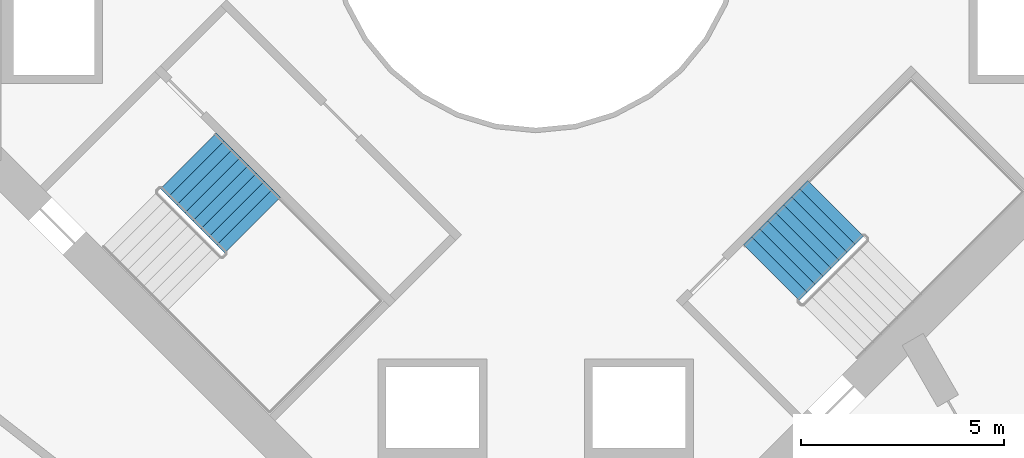
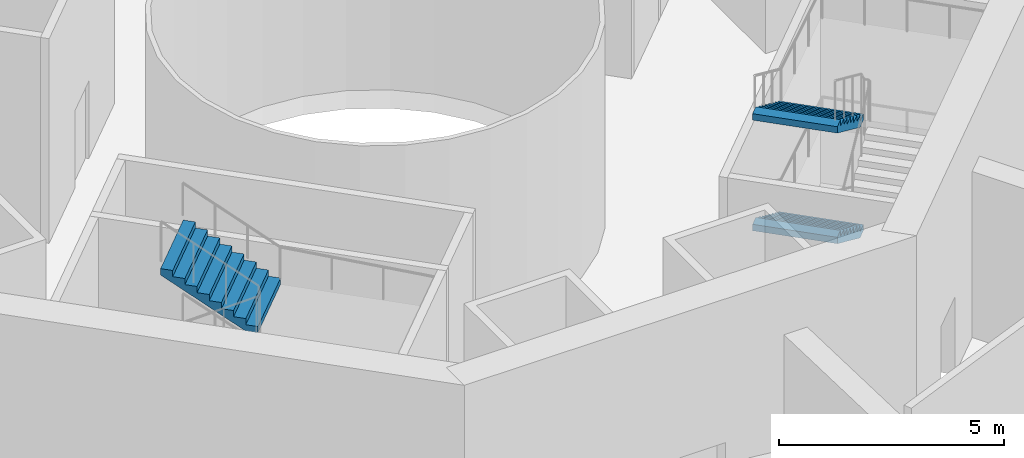
# One storey, part 13 of 17: 3 stair flights, 2 elements without a shape of their own.
"""IFC4 building model written with IfcOpenShell, lengths in metres."""

from ifc_helpers import new_model, si_unit, direction, frame, origin, place, context, subcontext, project, spatial, triangles, material, type_object, element, aggregate, save


model = new_model("IFC4")

# Units and contexts
model_context = context("Model", 3, precision=1e-05, world=origin(), true_north=direction((0.0, 1.0)))
body_context = subcontext(model_context, "Body", "Model", "MODEL_VIEW")
ifc_project = project(units=[si_unit("LENGTHUNIT", "METRE"), si_unit("AREAUNIT", "SQUARE_METRE"), si_unit("VOLUMEUNIT", "CUBIC_METRE"), si_unit("PLANEANGLEUNIT", "RADIAN"), si_unit("MASSUNIT", "GRAM", prefix="KILO")], contexts=[model_context])

# Site, building, storey
site_placement = place(None, origin())
site = spatial("IfcSite", under=ifc_project, at=site_placement, CompositionType="ELEMENT")
building_placement = place(site_placement, origin())
building = spatial("IfcBuilding", under=site, at=building_placement, Name="Verdalira Terraces Hotel", CompositionType="ELEMENT")
storey_placement = place(building_placement, frame((0.0, 0.0, 122.0)))
storey = spatial("IfcBuildingStorey", under=building, at=storey_placement, Name="L29", CompositionType="ELEMENT", Elevation=122.0)

# Stair, stair flight
ifc_material_1 = material(Name="Concrete C40", Category="concrete")
stair_type = type_object("IfcStairType", Name="Core stair 36 risers 1950 mm wide", PredefinedType="HALF_TURN_STAIR", material=ifc_material_1)
stair_1_placement = place(storey_placement, origin())
stair_1 = element("IfcStair", 1, at=stair_1_placement, inside=storey, type_object=stair_type, Name="L29 Exit stair ST2", PredefinedType="HALF_TURN_STAIR")
ifc_material_2 = material(Name="Concrete C40", Category="concrete")
stair_flight_type = type_object("IfcStairFlightType", Name="Core stair flight 36 risers 1950 mm wide", PredefinedType="STRAIGHT", material=ifc_material_2)
stair_flight_1_placement = place(storey_placement, frame((-6.989746, -7.399902, 4.5), z_axis=(0.0, 0.0, 1.0), x_axis=(-0.707106781, 0.707106781, 0.0)))
stair_flight_1 = element("IfcStairFlight", 2, at=stair_flight_1_placement, type_object=stair_flight_type, Name="ST2 flight 4", NumberOfRisers=9, NumberOfTreads=8, PredefinedType="STRAIGHT", RiserHeight=0.166666667, TreadLength=0.28, context=body_context, shape_type="Tessellation", body=[
    triangles([(0.0, 0.974976, 0.0), (0.292969, 0.974976, 0.0), (2.23999, 0.974976, 1.158936), (0.0, -0.974976, 0.0), (0.292969, -0.974976, 0.0), (2.23999, -0.974976, 1.158936), (2.23999, 0.974976, 1.333252), (1.959961, 0.974976, 1.333252), (2.23999, -0.974976, 1.333252), (1.959961, -0.974976, 1.333252), (1.959961, 0.974976, 1.166748), (1.959961, -0.974976, 1.166748), (1.679932, 0.974976, 1.166748), (1.679932, -0.974976, 1.166748), (1.679932, 0.974976, 1.0), (1.679932, -0.974976, 1.0), (1.399902, 0.974976, 1.0), (1.399902, 0.974976, 0.833252), (1.399902, -0.974976, 1.0), (1.399902, -0.974976, 0.833252), (1.120117, 0.974976, 0.833252), (1.120117, 0.974976, 0.666748), (1.120117, -0.974976, 0.833252), (1.120117, -0.974976, 0.666748), (0.840088, 0.974976, 0.666748), (0.840088, 0.974976, 0.5), (0.840088, -0.974976, 0.666748), (0.840088, -0.974976, 0.5), (0.560059, 0.974976, 0.5), (0.560059, 0.974976, 0.333252), (0.560059, -0.974976, 0.5), (0.560059, -0.974976, 0.333252), (0.280029, 0.974976, 0.333252), (0.280029, 0.974976, 0.166748), (0.280029, -0.974976, 0.333252), (0.280029, -0.974976, 0.166748), (0.0, 0.974976, 0.166748), (0.0, -0.974976, 0.166748), (0.0, -0.91404, 0.0), (0.0, -0.91404, 0.166748), (0.0, -0.853104, 0.0), (0.0, -0.853104, 0.166748), (0.0, -0.792168, 0.0), (0.0, -0.792168, 0.166748), (0.0, -0.731232, 0.0), (0.0, -0.731232, 0.166748), (0.0, -0.670296, 0.0), (0.0, -0.670296, 0.166748), (0.0, -0.60936, 0.0), (0.0, -0.60936, 0.166748), (0.0, -0.548424, 0.0), (0.0, -0.548424, 0.166748), (0.0, -0.487488, 0.0), (0.0, -0.487488, 0.166748), (0.0, -0.426552, 0.0), (0.0, -0.426552, 0.166748), (0.0, -0.365616, 0.0), (0.0, -0.365616, 0.166748), (0.0, -0.30468, 0.0), (0.0, -0.30468, 0.166748), (0.0, -0.243744, 0.0), (0.0, -0.243744, 0.166748), (0.0, -0.182808, 0.0), (0.0, -0.182808, 0.166748), (0.0, -0.121872, 0.0), (0.0, -0.121872, 0.166748), (0.0, -0.060936, 0.0), (0.0, -0.060936, 0.166748), (0.0, 0.0, 0.0), (0.0, 0.0, 0.166748), (0.0, 0.060936, 0.0), (0.0, 0.060936, 0.166748), (0.0, 0.121872, 0.0), (0.0, 0.121872, 0.166748), (0.0, 0.182808, 0.0), (0.0, 0.182808, 0.166748), (0.0, 0.243744, 0.0), (0.0, 0.243744, 0.166748), (0.0, 0.30468, 0.0), (0.0, 0.30468, 0.166748), (0.0, 0.365616, 0.0), (0.0, 0.365616, 0.166748), (0.0, 0.426552, 0.0), (0.0, 0.426552, 0.166748), (0.0, 0.487488, 0.0), (0.0, 0.487488, 0.166748), (0.0, 0.548424, 0.0), (0.0, 0.548424, 0.166748), (0.0, 0.60936, 0.0), (0.0, 0.60936, 0.166748), (0.0, 0.670296, 0.0), (0.0, 0.670296, 0.166748), (0.0, 0.731232, 0.0), (0.0, 0.731232, 0.166748), (0.0, 0.792168, 0.0), (0.0, 0.792168, 0.166748), (0.0, 0.853104, 0.0), (0.0, 0.853104, 0.166748), (0.0, 0.91404, 0.0), (0.0, 0.91404, 0.166748), (2.23999, -0.91404, 1.333252), (2.23999, -0.853104, 1.333252), (2.23999, -0.792168, 1.333252), (2.23999, -0.731232, 1.333252), (2.23999, -0.670296, 1.333252), (2.23999, -0.60936, 1.333252), (2.23999, -0.548424, 1.333252), (2.23999, -0.487488, 1.333252), (2.23999, -0.426552, 1.333252), (2.23999, -0.365616, 1.333252), (2.23999, -0.30468, 1.333252), (2.23999, -0.243744, 1.333252), (2.23999, -0.182808, 1.333252), (2.23999, -0.121872, 1.333252), (2.23999, -0.060936, 1.333252), (2.23999, 0.0, 1.333252), (2.23999, 0.060936, 1.333252), (2.23999, 0.121872, 1.333252), (2.23999, 0.182808, 1.333252), (2.23999, 0.243744, 1.333252), (2.23999, 0.30468, 1.333252), (2.23999, 0.365616, 1.333252), (2.23999, 0.426552, 1.333252), (2.23999, 0.487488, 1.333252), (2.23999, 0.548424, 1.333252), (2.23999, 0.60936, 1.333252), (2.23999, 0.670296, 1.333252), (2.23999, 0.731232, 1.333252), (2.23999, 0.792168, 1.333252), (2.23999, 0.853104, 1.333252), (2.23999, 0.91404, 1.333252), (2.23999, -0.91404, 1.158936), (2.23999, -0.853104, 1.158936), (2.23999, -0.792168, 1.158936), (2.23999, -0.731232, 1.158936), (2.23999, -0.670296, 1.158936), (2.23999, -0.60936, 1.158936), (2.23999, -0.548424, 1.158936), (2.23999, -0.487488, 1.158936), (2.23999, -0.426552, 1.158936), (2.23999, -0.365616, 1.158936), (2.23999, -0.30468, 1.158936), (2.23999, -0.243744, 1.158936), (2.23999, -0.182808, 1.158936), (2.23999, -0.121872, 1.158936), (2.23999, -0.060936, 1.158936), (2.23999, 0.0, 1.158936), (2.23999, 0.060936, 1.158936), (2.23999, 0.121872, 1.158936), (2.23999, 0.182808, 1.158936), (2.23999, 0.243744, 1.158936), (2.23999, 0.30468, 1.158936), (2.23999, 0.365616, 1.158936), (2.23999, 0.426552, 1.158936), (2.23999, 0.487488, 1.158936), (2.23999, 0.548424, 1.158936), (2.23999, 0.60936, 1.158936), (2.23999, 0.670296, 1.158936), (2.23999, 0.731232, 1.158936), (2.23999, 0.792168, 1.158936), (2.23999, 0.853104, 1.158936), (2.23999, 0.91404, 1.158936)], [[1, 3, 2], [4, 5, 6], [3, 8, 7], [6, 9, 10], [3, 11, 8], [6, 10, 12], [3, 13, 11], [6, 12, 14], [3, 15, 13], [6, 14, 16], [15, 18, 17], [16, 19, 20], [3, 18, 15], [6, 16, 20], [18, 22, 21], [20, 23, 24], [3, 22, 18], [6, 20, 24], [22, 26, 25], [24, 27, 28], [3, 26, 22], [6, 24, 28], [26, 30, 29], [28, 31, 32], [3, 30, 26], [6, 28, 32], [1, 30, 3], [4, 6, 32], [30, 34, 33], [32, 35, 36], [1, 34, 30], [4, 32, 36], [34, 1, 37], [36, 38, 4], [4, 40, 39], [4, 38, 40], [39, 42, 41], [39, 40, 42], [41, 44, 43], [41, 42, 44], [43, 46, 45], [43, 44, 46], [45, 48, 47], [45, 46, 48], [47, 50, 49], [47, 48, 50], [49, 52, 51], [49, 50, 52], [51, 54, 53], [51, 52, 54], [53, 56, 55], [53, 54, 56], [55, 58, 57], [55, 56, 58], [57, 60, 59], [57, 58, 60], [59, 62, 61], [59, 60, 62], [61, 64, 63], [61, 62, 64], [63, 66, 65], [63, 64, 66], [65, 68, 67], [65, 66, 68], [67, 70, 69], [67, 68, 70], [69, 72, 71], [69, 70, 72], [71, 74, 73], [71, 72, 74], [73, 76, 75], [73, 74, 76], [75, 78, 77], [75, 76, 78], [77, 80, 79], [77, 78, 80], [79, 82, 81], [79, 80, 82], [81, 84, 83], [81, 82, 84], [83, 86, 85], [83, 84, 86], [85, 88, 87], [85, 86, 88], [87, 90, 89], [87, 88, 90], [89, 92, 91], [89, 90, 92], [91, 94, 93], [91, 92, 94], [93, 96, 95], [93, 94, 96], [95, 98, 97], [95, 96, 98], [97, 100, 99], [97, 98, 100], [99, 37, 1], [99, 100, 37], [38, 36, 40], [40, 36, 42], [42, 36, 44], [44, 36, 46], [46, 36, 48], [48, 36, 50], [50, 36, 52], [52, 36, 54], [54, 36, 56], [56, 36, 58], [58, 36, 60], [60, 36, 62], [62, 36, 64], [64, 36, 66], [66, 36, 68], [68, 36, 70], [70, 36, 72], [72, 36, 74], [74, 36, 76], [76, 36, 78], [78, 36, 80], [80, 36, 82], [82, 36, 84], [84, 36, 86], [86, 36, 88], [88, 36, 90], [90, 36, 92], [92, 36, 94], [94, 36, 96], [96, 36, 98], [98, 36, 100], [100, 36, 37], [37, 36, 34], [36, 33, 34], [36, 35, 33], [35, 30, 33], [35, 32, 30], [32, 29, 30], [32, 31, 29], [31, 26, 29], [31, 28, 26], [28, 25, 26], [28, 27, 25], [27, 22, 25], [27, 24, 22], [24, 21, 22], [24, 23, 21], [23, 18, 21], [23, 20, 18], [20, 17, 18], [20, 19, 17], [19, 15, 17], [19, 16, 15], [16, 13, 15], [16, 14, 13], [14, 11, 13], [14, 12, 11], [12, 8, 11], [12, 10, 8], [9, 101, 10], [101, 102, 10], [102, 103, 10], [103, 104, 10], [104, 105, 10], [105, 106, 10], [106, 107, 10], [107, 108, 10], [108, 109, 10], [109, 110, 10], [110, 111, 10], [111, 112, 10], [112, 113, 10], [113, 114, 10], [114, 115, 10], [115, 116, 10], [116, 117, 10], [117, 118, 10], [118, 119, 10], [119, 120, 10], [120, 121, 10], [121, 122, 10], [122, 123, 10], [123, 124, 10], [124, 125, 10], [125, 126, 10], [126, 127, 10], [127, 128, 10], [128, 129, 10], [129, 130, 10], [130, 131, 10], [131, 7, 10], [7, 8, 10], [9, 132, 101], [9, 6, 132], [101, 133, 102], [101, 132, 133], [102, 134, 103], [102, 133, 134], [103, 135, 104], [103, 134, 135], [104, 136, 105], [104, 135, 136], [105, 137, 106], [105, 136, 137], [106, 138, 107], [106, 137, 138], [107, 139, 108], [107, 138, 139], [108, 140, 109], [108, 139, 140], [109, 141, 110], [109, 140, 141], [110, 142, 111], [110, 141, 142], [111, 143, 112], [111, 142, 143], [112, 144, 113], [112, 143, 144], [113, 145, 114], [113, 144, 145], [114, 146, 115], [114, 145, 146], [115, 147, 116], [115, 146, 147], [116, 148, 117], [116, 147, 148], [117, 149, 118], [117, 148, 149], [118, 150, 119], [118, 149, 150], [119, 151, 120], [119, 150, 151], [120, 152, 121], [120, 151, 152], [121, 153, 122], [121, 152, 153], [122, 154, 123], [122, 153, 154], [123, 155, 124], [123, 154, 155], [124, 156, 125], [124, 155, 156], [125, 157, 126], [125, 156, 157], [126, 158, 127], [126, 157, 158], [127, 159, 128], [127, 158, 159], [128, 160, 129], [128, 159, 160], [129, 161, 130], [129, 160, 161], [130, 162, 131], [130, 161, 162], [131, 3, 7], [131, 162, 3], [6, 5, 132], [132, 5, 133], [133, 5, 134], [134, 5, 135], [135, 5, 136], [136, 5, 137], [137, 5, 138], [138, 5, 139], [139, 5, 140], [140, 5, 141], [141, 5, 142], [142, 5, 143], [143, 5, 144], [144, 5, 145], [145, 5, 146], [146, 5, 147], [147, 5, 148], [148, 5, 149], [149, 5, 150], [150, 5, 151], [151, 5, 152], [152, 5, 153], [153, 5, 154], [154, 5, 155], [155, 5, 156], [156, 5, 157], [157, 5, 158], [158, 5, 159], [159, 5, 160], [160, 5, 161], [161, 5, 162], [162, 5, 3], [3, 5, 2], [4, 39, 5], [39, 41, 5], [41, 43, 5], [43, 45, 5], [45, 47, 5], [47, 49, 5], [49, 51, 5], [51, 53, 5], [53, 55, 5], [55, 57, 5], [57, 59, 5], [59, 61, 5], [61, 63, 5], [63, 65, 5], [65, 67, 5], [67, 69, 5], [69, 71, 5], [71, 73, 5], [73, 75, 5], [75, 77, 5], [77, 79, 5], [79, 81, 5], [81, 83, 5], [83, 85, 5], [85, 87, 5], [87, 89, 5], [89, 91, 5], [91, 93, 5], [93, 95, 5], [95, 97, 5], [97, 99, 5], [99, 1, 5], [1, 2, 5]], closed=True),
])
aggregate(stair_1, [stair_flight_1])

# Stair, stair flights
stair_2_placement = place(storey_placement, origin())
stair_2 = element("IfcStair", 3, at=stair_2_placement, inside=storey, type_object=stair_type, Name="L29 Exit stair ST3", PredefinedType="HALF_TURN_STAIR")
stair_flight_2_placement = place(storey_placement, frame((7.399902, -6.989746, 1.5), z_axis=(0.0, 0.0, 1.0), x_axis=(-0.707106781, -0.707106781, 0.0)))
stair_flight_2 = element("IfcStairFlight", 4, at=stair_flight_2_placement, type_object=stair_flight_type, Name="ST3 flight 2", NumberOfRisers=9, NumberOfTreads=8, PredefinedType="STRAIGHT", RiserHeight=0.166666667, TreadLength=0.28, context=body_context, shape_type="Tessellation", body=[
    triangles([(0.0, 0.974976, 0.0), (0.292969, 0.974976, 0.0), (2.23999, 0.974976, 1.158936), (0.0, -0.974976, 0.0), (0.292969, -0.974976, 0.0), (2.23999, -0.974976, 1.158936), (2.23999, 0.974976, 1.333252), (1.959961, 0.974976, 1.333252), (2.23999, -0.974976, 1.333252), (1.959961, -0.974976, 1.333252), (1.959961, 0.974976, 1.166748), (1.959961, -0.974976, 1.166748), (1.679932, 0.974976, 1.166748), (1.679932, -0.974976, 1.166748), (1.679932, 0.974976, 1.0), (1.679932, -0.974976, 1.0), (1.399902, 0.974976, 1.0), (1.399902, 0.974976, 0.833252), (1.399902, -0.974976, 1.0), (1.399902, -0.974976, 0.833252), (1.120117, 0.974976, 0.833252), (1.120117, 0.974976, 0.666748), (1.120117, -0.974976, 0.833252), (1.120117, -0.974976, 0.666748), (0.840088, 0.974976, 0.666748), (0.840088, 0.974976, 0.5), (0.840088, -0.974976, 0.666748), (0.840088, -0.974976, 0.5), (0.560059, 0.974976, 0.5), (0.560059, 0.974976, 0.333252), (0.560059, -0.974976, 0.5), (0.560059, -0.974976, 0.333252), (0.280029, 0.974976, 0.333252), (0.280029, 0.974976, 0.166748), (0.280029, -0.974976, 0.333252), (0.280029, -0.974976, 0.166748), (0.0, 0.974976, 0.166748), (0.0, -0.974976, 0.166748), (0.0, -0.91404, 0.0), (0.0, -0.91404, 0.166748), (0.0, -0.853104, 0.0), (0.0, -0.853104, 0.166748), (0.0, -0.792168, 0.0), (0.0, -0.792168, 0.166748), (0.0, -0.731232, 0.0), (0.0, -0.731232, 0.166748), (0.0, -0.670296, 0.0), (0.0, -0.670296, 0.166748), (0.0, -0.60936, 0.0), (0.0, -0.60936, 0.166748), (0.0, -0.548424, 0.0), (0.0, -0.548424, 0.166748), (0.0, -0.487488, 0.0), (0.0, -0.487488, 0.166748), (0.0, -0.426552, 0.0), (0.0, -0.426552, 0.166748), (0.0, -0.365616, 0.0), (0.0, -0.365616, 0.166748), (0.0, -0.30468, 0.0), (0.0, -0.30468, 0.166748), (0.0, -0.243744, 0.0), (0.0, -0.243744, 0.166748), (0.0, -0.182808, 0.0), (0.0, -0.182808, 0.166748), (0.0, -0.121872, 0.0), (0.0, -0.121872, 0.166748), (0.0, -0.060936, 0.0), (0.0, -0.060936, 0.166748), (0.0, 0.0, 0.0), (0.0, 0.0, 0.166748), (0.0, 0.060936, 0.0), (0.0, 0.060936, 0.166748), (0.0, 0.121872, 0.0), (0.0, 0.121872, 0.166748), (0.0, 0.182808, 0.0), (0.0, 0.182808, 0.166748), (0.0, 0.243744, 0.0), (0.0, 0.243744, 0.166748), (0.0, 0.30468, 0.0), (0.0, 0.30468, 0.166748), (0.0, 0.365616, 0.0), (0.0, 0.365616, 0.166748), (0.0, 0.426552, 0.0), (0.0, 0.426552, 0.166748), (0.0, 0.487488, 0.0), (0.0, 0.487488, 0.166748), (0.0, 0.548424, 0.0), (0.0, 0.548424, 0.166748), (0.0, 0.60936, 0.0), (0.0, 0.60936, 0.166748), (0.0, 0.670296, 0.0), (0.0, 0.670296, 0.166748), (0.0, 0.731232, 0.0), (0.0, 0.731232, 0.166748), (0.0, 0.792168, 0.0), (0.0, 0.792168, 0.166748), (0.0, 0.853104, 0.0), (0.0, 0.853104, 0.166748), (0.0, 0.91404, 0.0), (0.0, 0.91404, 0.166748), (2.23999, -0.91404, 1.333252), (2.23999, -0.853104, 1.333252), (2.23999, -0.792168, 1.333252), (2.23999, -0.731232, 1.333252), (2.23999, -0.670296, 1.333252), (2.23999, -0.60936, 1.333252), (2.23999, -0.548424, 1.333252), (2.23999, -0.487488, 1.333252), (2.23999, -0.426552, 1.333252), (2.23999, -0.365616, 1.333252), (2.23999, -0.30468, 1.333252), (2.23999, -0.243744, 1.333252), (2.23999, -0.182808, 1.333252), (2.23999, -0.121872, 1.333252), (2.23999, -0.060936, 1.333252), (2.23999, 0.0, 1.333252), (2.23999, 0.060936, 1.333252), (2.23999, 0.121872, 1.333252), (2.23999, 0.182808, 1.333252), (2.23999, 0.243744, 1.333252), (2.23999, 0.30468, 1.333252), (2.23999, 0.365616, 1.333252), (2.23999, 0.426552, 1.333252), (2.23999, 0.487488, 1.333252), (2.23999, 0.548424, 1.333252), (2.23999, 0.60936, 1.333252), (2.23999, 0.670296, 1.333252), (2.23999, 0.731232, 1.333252), (2.23999, 0.792168, 1.333252), (2.23999, 0.853104, 1.333252), (2.23999, 0.91404, 1.333252), (2.23999, -0.91404, 1.158936), (2.23999, -0.853104, 1.158936), (2.23999, -0.792168, 1.158936), (2.23999, -0.731232, 1.158936), (2.23999, -0.670296, 1.158936), (2.23999, -0.60936, 1.158936), (2.23999, -0.548424, 1.158936), (2.23999, -0.487488, 1.158936), (2.23999, -0.426552, 1.158936), (2.23999, -0.365616, 1.158936), (2.23999, -0.30468, 1.158936), (2.23999, -0.243744, 1.158936), (2.23999, -0.182808, 1.158936), (2.23999, -0.121872, 1.158936), (2.23999, -0.060936, 1.158936), (2.23999, 0.0, 1.158936), (2.23999, 0.060936, 1.158936), (2.23999, 0.121872, 1.158936), (2.23999, 0.182808, 1.158936), (2.23999, 0.243744, 1.158936), (2.23999, 0.30468, 1.158936), (2.23999, 0.365616, 1.158936), (2.23999, 0.426552, 1.158936), (2.23999, 0.487488, 1.158936), (2.23999, 0.548424, 1.158936), (2.23999, 0.60936, 1.158936), (2.23999, 0.670296, 1.158936), (2.23999, 0.731232, 1.158936), (2.23999, 0.792168, 1.158936), (2.23999, 0.853104, 1.158936), (2.23999, 0.91404, 1.158936)], [[1, 3, 2], [4, 5, 6], [3, 8, 7], [6, 9, 10], [3, 11, 8], [6, 10, 12], [3, 13, 11], [6, 12, 14], [3, 15, 13], [6, 14, 16], [15, 18, 17], [16, 19, 20], [3, 18, 15], [6, 16, 20], [18, 22, 21], [20, 23, 24], [3, 22, 18], [6, 20, 24], [22, 26, 25], [24, 27, 28], [3, 26, 22], [6, 24, 28], [26, 30, 29], [28, 31, 32], [3, 30, 26], [6, 28, 32], [1, 30, 3], [4, 6, 32], [30, 34, 33], [32, 35, 36], [1, 34, 30], [4, 32, 36], [34, 1, 37], [36, 38, 4], [4, 40, 39], [4, 38, 40], [39, 42, 41], [39, 40, 42], [41, 44, 43], [41, 42, 44], [43, 46, 45], [43, 44, 46], [45, 48, 47], [45, 46, 48], [47, 50, 49], [47, 48, 50], [49, 52, 51], [49, 50, 52], [51, 54, 53], [51, 52, 54], [53, 56, 55], [53, 54, 56], [55, 58, 57], [55, 56, 58], [57, 60, 59], [57, 58, 60], [59, 62, 61], [59, 60, 62], [61, 64, 63], [61, 62, 64], [63, 66, 65], [63, 64, 66], [65, 68, 67], [65, 66, 68], [67, 70, 69], [67, 68, 70], [69, 72, 71], [69, 70, 72], [71, 74, 73], [71, 72, 74], [73, 76, 75], [73, 74, 76], [75, 78, 77], [75, 76, 78], [77, 80, 79], [77, 78, 80], [79, 82, 81], [79, 80, 82], [81, 84, 83], [81, 82, 84], [83, 86, 85], [83, 84, 86], [85, 88, 87], [85, 86, 88], [87, 90, 89], [87, 88, 90], [89, 92, 91], [89, 90, 92], [91, 94, 93], [91, 92, 94], [93, 96, 95], [93, 94, 96], [95, 98, 97], [95, 96, 98], [97, 100, 99], [97, 98, 100], [99, 37, 1], [99, 100, 37], [38, 36, 40], [40, 36, 42], [42, 36, 44], [44, 36, 46], [46, 36, 48], [48, 36, 50], [50, 36, 52], [52, 36, 54], [54, 36, 56], [56, 36, 58], [58, 36, 60], [60, 36, 62], [62, 36, 64], [64, 36, 66], [66, 36, 68], [68, 36, 70], [70, 36, 72], [72, 36, 74], [74, 36, 76], [76, 36, 78], [78, 36, 80], [80, 36, 82], [82, 36, 84], [84, 36, 86], [86, 36, 88], [88, 36, 90], [90, 36, 92], [92, 36, 94], [94, 36, 96], [96, 36, 98], [98, 36, 100], [100, 36, 37], [37, 36, 34], [36, 33, 34], [36, 35, 33], [35, 30, 33], [35, 32, 30], [32, 29, 30], [32, 31, 29], [31, 26, 29], [31, 28, 26], [28, 25, 26], [28, 27, 25], [27, 22, 25], [27, 24, 22], [24, 21, 22], [24, 23, 21], [23, 18, 21], [23, 20, 18], [20, 17, 18], [20, 19, 17], [19, 15, 17], [19, 16, 15], [16, 13, 15], [16, 14, 13], [14, 11, 13], [14, 12, 11], [12, 8, 11], [12, 10, 8], [9, 101, 10], [101, 102, 10], [102, 103, 10], [103, 104, 10], [104, 105, 10], [105, 106, 10], [106, 107, 10], [107, 108, 10], [108, 109, 10], [109, 110, 10], [110, 111, 10], [111, 112, 10], [112, 113, 10], [113, 114, 10], [114, 115, 10], [115, 116, 10], [116, 117, 10], [117, 118, 10], [118, 119, 10], [119, 120, 10], [120, 121, 10], [121, 122, 10], [122, 123, 10], [123, 124, 10], [124, 125, 10], [125, 126, 10], [126, 127, 10], [127, 128, 10], [128, 129, 10], [129, 130, 10], [130, 131, 10], [131, 7, 10], [7, 8, 10], [9, 132, 101], [9, 6, 132], [101, 133, 102], [101, 132, 133], [102, 134, 103], [102, 133, 134], [103, 135, 104], [103, 134, 135], [104, 136, 105], [104, 135, 136], [105, 137, 106], [105, 136, 137], [106, 138, 107], [106, 137, 138], [107, 139, 108], [107, 138, 139], [108, 140, 109], [108, 139, 140], [109, 141, 110], [109, 140, 141], [110, 142, 111], [110, 141, 142], [111, 143, 112], [111, 142, 143], [112, 144, 113], [112, 143, 144], [113, 145, 114], [113, 144, 145], [114, 146, 115], [114, 145, 146], [115, 147, 116], [115, 146, 147], [116, 148, 117], [116, 147, 148], [117, 149, 118], [117, 148, 149], [118, 150, 119], [118, 149, 150], [119, 151, 120], [119, 150, 151], [120, 152, 121], [120, 151, 152], [121, 153, 122], [121, 152, 153], [122, 154, 123], [122, 153, 154], [123, 155, 124], [123, 154, 155], [124, 156, 125], [124, 155, 156], [125, 157, 126], [125, 156, 157], [126, 158, 127], [126, 157, 158], [127, 159, 128], [127, 158, 159], [128, 160, 129], [128, 159, 160], [129, 161, 130], [129, 160, 161], [130, 162, 131], [130, 161, 162], [131, 3, 7], [131, 162, 3], [6, 5, 132], [132, 5, 133], [133, 5, 134], [134, 5, 135], [135, 5, 136], [136, 5, 137], [137, 5, 138], [138, 5, 139], [139, 5, 140], [140, 5, 141], [141, 5, 142], [142, 5, 143], [143, 5, 144], [144, 5, 145], [145, 5, 146], [146, 5, 147], [147, 5, 148], [148, 5, 149], [149, 5, 150], [150, 5, 151], [151, 5, 152], [152, 5, 153], [153, 5, 154], [154, 5, 155], [155, 5, 156], [156, 5, 157], [157, 5, 158], [158, 5, 159], [159, 5, 160], [160, 5, 161], [161, 5, 162], [162, 5, 3], [3, 5, 2], [4, 39, 5], [39, 41, 5], [41, 43, 5], [43, 45, 5], [45, 47, 5], [47, 49, 5], [49, 51, 5], [51, 53, 5], [53, 55, 5], [55, 57, 5], [57, 59, 5], [59, 61, 5], [61, 63, 5], [63, 65, 5], [65, 67, 5], [67, 69, 5], [69, 71, 5], [71, 73, 5], [73, 75, 5], [75, 77, 5], [77, 79, 5], [79, 81, 5], [81, 83, 5], [83, 85, 5], [85, 87, 5], [87, 89, 5], [89, 91, 5], [91, 93, 5], [93, 95, 5], [95, 97, 5], [97, 99, 5], [99, 1, 5], [1, 2, 5]], closed=True),
])
stair_flight_3_placement = place(storey_placement, frame((7.399902, -6.989746, 4.5), z_axis=(0.0, 0.0, 1.0), x_axis=(-0.707106781, -0.707106781, 0.0)))
stair_flight_3 = element("IfcStairFlight", 5, at=stair_flight_3_placement, type_object=stair_flight_type, Name="ST3 flight 4", NumberOfRisers=9, NumberOfTreads=8, PredefinedType="STRAIGHT", RiserHeight=0.166666667, TreadLength=0.28, context=body_context, shape_type="Tessellation", body=[
    triangles([(0.0, 0.974976, 0.0), (0.292969, 0.974976, 0.0), (2.23999, 0.974976, 1.158936), (0.0, -0.974976, 0.0), (0.292969, -0.974976, 0.0), (2.23999, -0.974976, 1.158936), (2.23999, 0.974976, 1.333252), (1.959961, 0.974976, 1.333252), (2.23999, -0.974976, 1.333252), (1.959961, -0.974976, 1.333252), (1.959961, 0.974976, 1.166748), (1.959961, -0.974976, 1.166748), (1.679932, 0.974976, 1.166748), (1.679932, -0.974976, 1.166748), (1.679932, 0.974976, 1.0), (1.679932, -0.974976, 1.0), (1.399902, 0.974976, 1.0), (1.399902, 0.974976, 0.833252), (1.399902, -0.974976, 1.0), (1.399902, -0.974976, 0.833252), (1.120117, 0.974976, 0.833252), (1.120117, 0.974976, 0.666748), (1.120117, -0.974976, 0.833252), (1.120117, -0.974976, 0.666748), (0.840088, 0.974976, 0.666748), (0.840088, 0.974976, 0.5), (0.840088, -0.974976, 0.666748), (0.840088, -0.974976, 0.5), (0.560059, 0.974976, 0.5), (0.560059, 0.974976, 0.333252), (0.560059, -0.974976, 0.5), (0.560059, -0.974976, 0.333252), (0.280029, 0.974976, 0.333252), (0.280029, 0.974976, 0.166748), (0.280029, -0.974976, 0.333252), (0.280029, -0.974976, 0.166748), (0.0, 0.974976, 0.166748), (0.0, -0.974976, 0.166748), (0.0, -0.91404, 0.0), (0.0, -0.91404, 0.166748), (0.0, -0.853104, 0.0), (0.0, -0.853104, 0.166748), (0.0, -0.792168, 0.0), (0.0, -0.792168, 0.166748), (0.0, -0.731232, 0.0), (0.0, -0.731232, 0.166748), (0.0, -0.670296, 0.0), (0.0, -0.670296, 0.166748), (0.0, -0.60936, 0.0), (0.0, -0.60936, 0.166748), (0.0, -0.548424, 0.0), (0.0, -0.548424, 0.166748), (0.0, -0.487488, 0.0), (0.0, -0.487488, 0.166748), (0.0, -0.426552, 0.0), (0.0, -0.426552, 0.166748), (0.0, -0.365616, 0.0), (0.0, -0.365616, 0.166748), (0.0, -0.30468, 0.0), (0.0, -0.30468, 0.166748), (0.0, -0.243744, 0.0), (0.0, -0.243744, 0.166748), (0.0, -0.182808, 0.0), (0.0, -0.182808, 0.166748), (0.0, -0.121872, 0.0), (0.0, -0.121872, 0.166748), (0.0, -0.060936, 0.0), (0.0, -0.060936, 0.166748), (0.0, 0.0, 0.0), (0.0, 0.0, 0.166748), (0.0, 0.060936, 0.0), (0.0, 0.060936, 0.166748), (0.0, 0.121872, 0.0), (0.0, 0.121872, 0.166748), (0.0, 0.182808, 0.0), (0.0, 0.182808, 0.166748), (0.0, 0.243744, 0.0), (0.0, 0.243744, 0.166748), (0.0, 0.30468, 0.0), (0.0, 0.30468, 0.166748), (0.0, 0.365616, 0.0), (0.0, 0.365616, 0.166748), (0.0, 0.426552, 0.0), (0.0, 0.426552, 0.166748), (0.0, 0.487488, 0.0), (0.0, 0.487488, 0.166748), (0.0, 0.548424, 0.0), (0.0, 0.548424, 0.166748), (0.0, 0.60936, 0.0), (0.0, 0.60936, 0.166748), (0.0, 0.670296, 0.0), (0.0, 0.670296, 0.166748), (0.0, 0.731232, 0.0), (0.0, 0.731232, 0.166748), (0.0, 0.792168, 0.0), (0.0, 0.792168, 0.166748), (0.0, 0.853104, 0.0), (0.0, 0.853104, 0.166748), (0.0, 0.91404, 0.0), (0.0, 0.91404, 0.166748), (2.23999, -0.91404, 1.333252), (2.23999, -0.853104, 1.333252), (2.23999, -0.792168, 1.333252), (2.23999, -0.731232, 1.333252), (2.23999, -0.670296, 1.333252), (2.23999, -0.60936, 1.333252), (2.23999, -0.548424, 1.333252), (2.23999, -0.487488, 1.333252), (2.23999, -0.426552, 1.333252), (2.23999, -0.365616, 1.333252), (2.23999, -0.30468, 1.333252), (2.23999, -0.243744, 1.333252), (2.23999, -0.182808, 1.333252), (2.23999, -0.121872, 1.333252), (2.23999, -0.060936, 1.333252), (2.23999, 0.0, 1.333252), (2.23999, 0.060936, 1.333252), (2.23999, 0.121872, 1.333252), (2.23999, 0.182808, 1.333252), (2.23999, 0.243744, 1.333252), (2.23999, 0.30468, 1.333252), (2.23999, 0.365616, 1.333252), (2.23999, 0.426552, 1.333252), (2.23999, 0.487488, 1.333252), (2.23999, 0.548424, 1.333252), (2.23999, 0.60936, 1.333252), (2.23999, 0.670296, 1.333252), (2.23999, 0.731232, 1.333252), (2.23999, 0.792168, 1.333252), (2.23999, 0.853104, 1.333252), (2.23999, 0.91404, 1.333252), (2.23999, -0.91404, 1.158936), (2.23999, -0.853104, 1.158936), (2.23999, -0.792168, 1.158936), (2.23999, -0.731232, 1.158936), (2.23999, -0.670296, 1.158936), (2.23999, -0.60936, 1.158936), (2.23999, -0.548424, 1.158936), (2.23999, -0.487488, 1.158936), (2.23999, -0.426552, 1.158936), (2.23999, -0.365616, 1.158936), (2.23999, -0.30468, 1.158936), (2.23999, -0.243744, 1.158936), (2.23999, -0.182808, 1.158936), (2.23999, -0.121872, 1.158936), (2.23999, -0.060936, 1.158936), (2.23999, 0.0, 1.158936), (2.23999, 0.060936, 1.158936), (2.23999, 0.121872, 1.158936), (2.23999, 0.182808, 1.158936), (2.23999, 0.243744, 1.158936), (2.23999, 0.30468, 1.158936), (2.23999, 0.365616, 1.158936), (2.23999, 0.426552, 1.158936), (2.23999, 0.487488, 1.158936), (2.23999, 0.548424, 1.158936), (2.23999, 0.60936, 1.158936), (2.23999, 0.670296, 1.158936), (2.23999, 0.731232, 1.158936), (2.23999, 0.792168, 1.158936), (2.23999, 0.853104, 1.158936), (2.23999, 0.91404, 1.158936)], [[1, 3, 2], [4, 5, 6], [3, 8, 7], [6, 9, 10], [3, 11, 8], [6, 10, 12], [3, 13, 11], [6, 12, 14], [3, 15, 13], [6, 14, 16], [15, 18, 17], [16, 19, 20], [3, 18, 15], [6, 16, 20], [18, 22, 21], [20, 23, 24], [3, 22, 18], [6, 20, 24], [22, 26, 25], [24, 27, 28], [3, 26, 22], [6, 24, 28], [26, 30, 29], [28, 31, 32], [3, 30, 26], [6, 28, 32], [1, 30, 3], [4, 6, 32], [30, 34, 33], [32, 35, 36], [1, 34, 30], [4, 32, 36], [34, 1, 37], [36, 38, 4], [4, 40, 39], [4, 38, 40], [39, 42, 41], [39, 40, 42], [41, 44, 43], [41, 42, 44], [43, 46, 45], [43, 44, 46], [45, 48, 47], [45, 46, 48], [47, 50, 49], [47, 48, 50], [49, 52, 51], [49, 50, 52], [51, 54, 53], [51, 52, 54], [53, 56, 55], [53, 54, 56], [55, 58, 57], [55, 56, 58], [57, 60, 59], [57, 58, 60], [59, 62, 61], [59, 60, 62], [61, 64, 63], [61, 62, 64], [63, 66, 65], [63, 64, 66], [65, 68, 67], [65, 66, 68], [67, 70, 69], [67, 68, 70], [69, 72, 71], [69, 70, 72], [71, 74, 73], [71, 72, 74], [73, 76, 75], [73, 74, 76], [75, 78, 77], [75, 76, 78], [77, 80, 79], [77, 78, 80], [79, 82, 81], [79, 80, 82], [81, 84, 83], [81, 82, 84], [83, 86, 85], [83, 84, 86], [85, 88, 87], [85, 86, 88], [87, 90, 89], [87, 88, 90], [89, 92, 91], [89, 90, 92], [91, 94, 93], [91, 92, 94], [93, 96, 95], [93, 94, 96], [95, 98, 97], [95, 96, 98], [97, 100, 99], [97, 98, 100], [99, 37, 1], [99, 100, 37], [38, 36, 40], [40, 36, 42], [42, 36, 44], [44, 36, 46], [46, 36, 48], [48, 36, 50], [50, 36, 52], [52, 36, 54], [54, 36, 56], [56, 36, 58], [58, 36, 60], [60, 36, 62], [62, 36, 64], [64, 36, 66], [66, 36, 68], [68, 36, 70], [70, 36, 72], [72, 36, 74], [74, 36, 76], [76, 36, 78], [78, 36, 80], [80, 36, 82], [82, 36, 84], [84, 36, 86], [86, 36, 88], [88, 36, 90], [90, 36, 92], [92, 36, 94], [94, 36, 96], [96, 36, 98], [98, 36, 100], [100, 36, 37], [37, 36, 34], [36, 33, 34], [36, 35, 33], [35, 30, 33], [35, 32, 30], [32, 29, 30], [32, 31, 29], [31, 26, 29], [31, 28, 26], [28, 25, 26], [28, 27, 25], [27, 22, 25], [27, 24, 22], [24, 21, 22], [24, 23, 21], [23, 18, 21], [23, 20, 18], [20, 17, 18], [20, 19, 17], [19, 15, 17], [19, 16, 15], [16, 13, 15], [16, 14, 13], [14, 11, 13], [14, 12, 11], [12, 8, 11], [12, 10, 8], [9, 101, 10], [101, 102, 10], [102, 103, 10], [103, 104, 10], [104, 105, 10], [105, 106, 10], [106, 107, 10], [107, 108, 10], [108, 109, 10], [109, 110, 10], [110, 111, 10], [111, 112, 10], [112, 113, 10], [113, 114, 10], [114, 115, 10], [115, 116, 10], [116, 117, 10], [117, 118, 10], [118, 119, 10], [119, 120, 10], [120, 121, 10], [121, 122, 10], [122, 123, 10], [123, 124, 10], [124, 125, 10], [125, 126, 10], [126, 127, 10], [127, 128, 10], [128, 129, 10], [129, 130, 10], [130, 131, 10], [131, 7, 10], [7, 8, 10], [9, 132, 101], [9, 6, 132], [101, 133, 102], [101, 132, 133], [102, 134, 103], [102, 133, 134], [103, 135, 104], [103, 134, 135], [104, 136, 105], [104, 135, 136], [105, 137, 106], [105, 136, 137], [106, 138, 107], [106, 137, 138], [107, 139, 108], [107, 138, 139], [108, 140, 109], [108, 139, 140], [109, 141, 110], [109, 140, 141], [110, 142, 111], [110, 141, 142], [111, 143, 112], [111, 142, 143], [112, 144, 113], [112, 143, 144], [113, 145, 114], [113, 144, 145], [114, 146, 115], [114, 145, 146], [115, 147, 116], [115, 146, 147], [116, 148, 117], [116, 147, 148], [117, 149, 118], [117, 148, 149], [118, 150, 119], [118, 149, 150], [119, 151, 120], [119, 150, 151], [120, 152, 121], [120, 151, 152], [121, 153, 122], [121, 152, 153], [122, 154, 123], [122, 153, 154], [123, 155, 124], [123, 154, 155], [124, 156, 125], [124, 155, 156], [125, 157, 126], [125, 156, 157], [126, 158, 127], [126, 157, 158], [127, 159, 128], [127, 158, 159], [128, 160, 129], [128, 159, 160], [129, 161, 130], [129, 160, 161], [130, 162, 131], [130, 161, 162], [131, 3, 7], [131, 162, 3], [6, 5, 132], [132, 5, 133], [133, 5, 134], [134, 5, 135], [135, 5, 136], [136, 5, 137], [137, 5, 138], [138, 5, 139], [139, 5, 140], [140, 5, 141], [141, 5, 142], [142, 5, 143], [143, 5, 144], [144, 5, 145], [145, 5, 146], [146, 5, 147], [147, 5, 148], [148, 5, 149], [149, 5, 150], [150, 5, 151], [151, 5, 152], [152, 5, 153], [153, 5, 154], [154, 5, 155], [155, 5, 156], [156, 5, 157], [157, 5, 158], [158, 5, 159], [159, 5, 160], [160, 5, 161], [161, 5, 162], [162, 5, 3], [3, 5, 2], [4, 39, 5], [39, 41, 5], [41, 43, 5], [43, 45, 5], [45, 47, 5], [47, 49, 5], [49, 51, 5], [51, 53, 5], [53, 55, 5], [55, 57, 5], [57, 59, 5], [59, 61, 5], [61, 63, 5], [63, 65, 5], [65, 67, 5], [67, 69, 5], [69, 71, 5], [71, 73, 5], [73, 75, 5], [75, 77, 5], [77, 79, 5], [79, 81, 5], [81, 83, 5], [83, 85, 5], [85, 87, 5], [87, 89, 5], [89, 91, 5], [91, 93, 5], [93, 95, 5], [95, 97, 5], [97, 99, 5], [99, 1, 5], [1, 2, 5]], closed=True),
])
aggregate(stair_2, [stair_flight_2, stair_flight_3])

save(model, "model.ifc")
